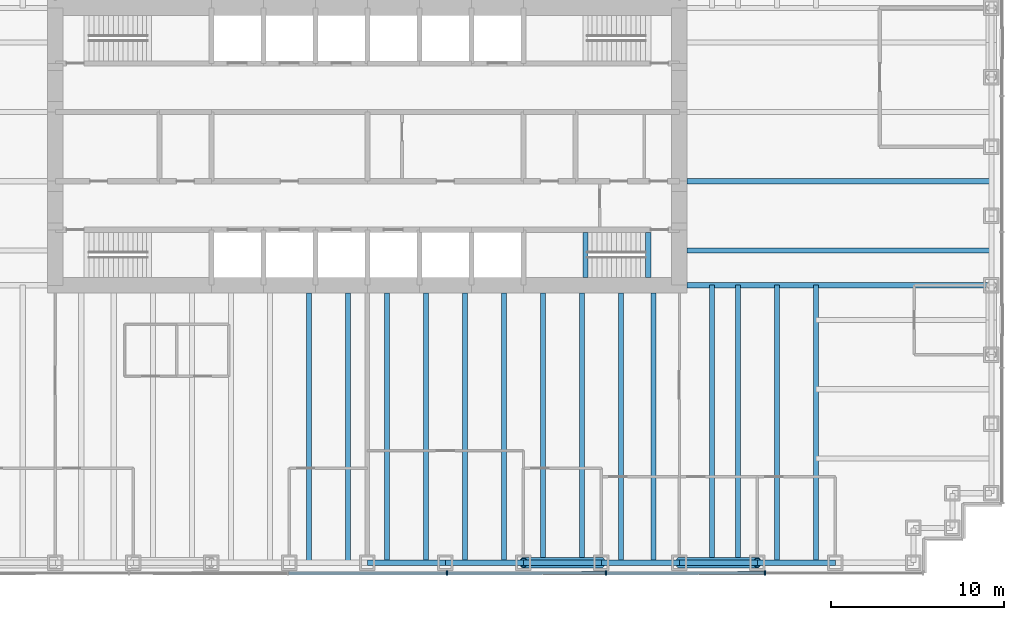
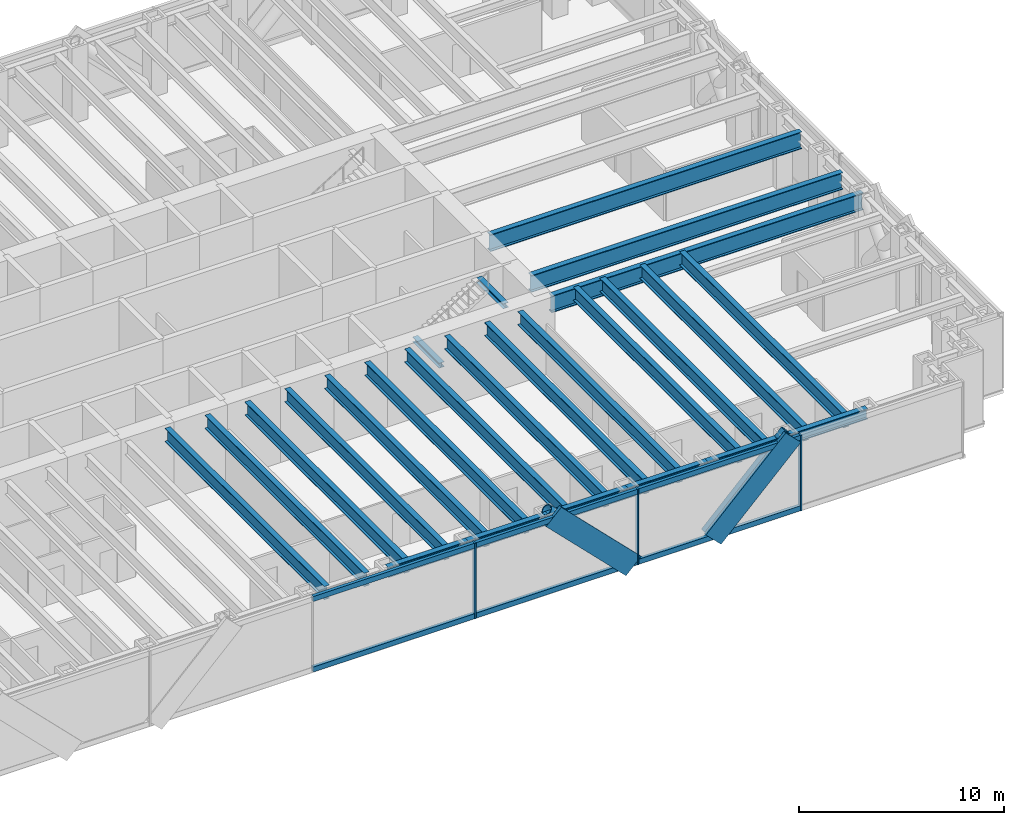
# One storey, part 3 of 13: 25 beams, 13 members, 1 element without a shape of its own.
"""IFC4 building model written with IfcOpenShell, lengths in metres."""

import ifcopenshell
import ifcopenshell.guid

model = None  # the IFC model being written
_history = None  # IfcOwnerHistory: only IFC2X3 demands one
_inside = {}  # id of a spatial element -> (the spatial element, [elements in it])
_under = {}  # id of a project, library or spatial element -> (it, [spatial elements below it])
_declared = {}  # id of a project -> (the project, [libraries it declares])
_typed = {}  # id of a type object -> (the type object, [elements of that type])
_made_of = {}  # id of a material, layer set ... -> (it, [elements and type objects made of it])


def new_model(schema):
    """Start an empty IFC model of exactly this schema.

    Asked for "IFC4X3", IfcOpenShell would pick the latest addendum, in which some entities
    have other attributes; the version numbers below select the first issue.
    IFC2X3 requires an IfcOwnerHistory on every rooted entity: one is made here for all.
    """
    global model, _history
    if schema == "IFC4X3":
        model = ifcopenshell.file(schema_version=(4, 3, 0, 0))
    else:
        model = ifcopenshell.file(schema=schema)
    _inside.clear()
    _under.clear()
    _declared.clear()
    _typed.clear()
    _made_of.clear()
    _history = None
    if model.schema == "IFC2X3":
        org = make("IfcOrganization", Name="unknown")
        user = make(
            "IfcPersonAndOrganization",
            ThePerson=make("IfcPerson", FamilyName="unknown"),
            TheOrganization=org,
        )
        app = make(
            "IfcApplication",
            ApplicationDeveloper=org,
            Version="unknown",
            ApplicationFullName="unknown",
            ApplicationIdentifier="unknown",
        )
        _history = make(
            "IfcOwnerHistory",
            OwningUser=user,
            OwningApplication=app,
            ChangeAction="ADDED",
            CreationDate=0,
        )
    return model


def make(cls, **values):
    """One entity of the class cls with the attributes given. An attribute that is None is left unset."""
    return model.create_entity(
        cls, **{name: value for name, value in values.items() if value is not None}
    )


def rooted(cls, **values):
    """An entity with a GlobalId (a new one), such as an element, a storey or a relation."""
    return make(cls, GlobalId=ifcopenshell.guid.new(), OwnerHistory=_history, **values)


def si_unit(unit_type, name, prefix=None):
    """IfcSIUnit, for example si_unit("LENGTHUNIT", "METRE", prefix="MILLI")."""
    return make("IfcSIUnit", UnitType=unit_type, Prefix=prefix, Name=name)


def assignment(units):
    """IfcUnitAssignment: the units of a project."""
    return None if units is None else make("IfcUnitAssignment", Units=units)


def point(xyz):
    """IfcCartesianPoint."""
    return None if xyz is None else make("IfcCartesianPoint", Coordinates=xyz)


def direction(xyz):
    """IfcDirection."""
    return None if xyz is None else make("IfcDirection", DirectionRatios=xyz)


def frame(location, z_axis=None, x_axis=None):
    """IfcAxis2Placement3D, a coordinate frame: its origin and axes. An axis left out is left unset."""
    return make(
        "IfcAxis2Placement3D",
        Location=point(location),
        Axis=direction(z_axis),
        RefDirection=direction(x_axis),
    )


def frame_2d(location, x_axis=None):
    """IfcAxis2Placement2D, a coordinate frame in the plane: its origin and x axis."""
    return make(
        "IfcAxis2Placement2D", Location=point(location), RefDirection=direction(x_axis)
    )


def origin():
    """The frame at (0, 0, 0) with its axes left unset."""
    return frame((0.0, 0.0, 0.0))


def origin_2d():
    """The frame at (0, 0) in the plane with its x axis left unset."""
    return frame_2d((0.0, 0.0))


def place(relative_to, where):
    """IfcLocalPlacement: puts the frame where relative to a parent placement (None: the world)."""
    return make(
        "IfcLocalPlacement", PlacementRelTo=relative_to, RelativePlacement=where
    )


def context(
    kind, dimensions, precision=None, world=None, true_north=None, identifier=None
):
    """IfcGeometricRepresentationContext, for example the 3D "Model" context."""
    return make(
        "IfcGeometricRepresentationContext",
        ContextIdentifier=identifier,
        ContextType=kind,
        CoordinateSpaceDimension=dimensions,
        Precision=precision,
        WorldCoordinateSystem=world,
        TrueNorth=true_north,
    )


def subcontext(parent, identifier, kind, view, scale=None):
    """IfcGeometricRepresentationSubContext, for example "Body" below "Model"."""
    return make(
        "IfcGeometricRepresentationSubContext",
        ContextIdentifier=identifier,
        ContextType=kind,
        ParentContext=parent,
        TargetScale=scale,
        TargetView=view,
    )


def project(units=None, contexts=None):
    """IfcProject with its units and contexts."""
    return rooted(
        "IfcProject",
        Name="project",
        RepresentationContexts=contexts,
        UnitsInContext=assignment(units),
    )


def spatial(cls, under=None, at=None, **own):
    """A site, building, storey or space (cls), placed at a placement, below another one or the project."""
    s = rooted(cls, ObjectPlacement=at, **own)
    if under is not None:
        _under.setdefault(under.id(), (under, []))[1].append(s)
    return s


def profile(cls, at=None, kind="AREA", **sizes):
    """A parametric profile (cls). Its sizes go by their IFC names, for example OverallWidth=200.0."""
    return make(cls, ProfileType=kind, Position=at, **sizes)


def rectangle(**sizes):
    """IfcRectangleProfileDef."""
    return profile("IfcRectangleProfileDef", **sizes)


def hollow_circle(**sizes):
    """IfcCircleHollowProfileDef."""
    return profile("IfcCircleHollowProfileDef", **sizes)


def i_section(**sizes):
    """IfcIShapeProfileDef."""
    return profile("IfcIShapeProfileDef", **sizes)


def extrude(swept, where, along, depth):
    """IfcExtrudedAreaSolid: the profile swept, set in the frame where, extruded along a direction by depth."""
    return make(
        "IfcExtrudedAreaSolid",
        SweptArea=swept,
        Position=where,
        ExtrudedDirection=direction(along),
        Depth=depth,
    )


def shape(context_of_items, identifier, shape_type, items):
    """IfcShapeRepresentation: the items that make up one representation, for example the "Body"."""
    return make(
        "IfcShapeRepresentation",
        ContextOfItems=context_of_items,
        RepresentationIdentifier=identifier,
        RepresentationType=shape_type,
        Items=items,
    )


def material(Name=None, Category=None):
    """IfcMaterial."""
    return make("IfcMaterial", Name=Name, Category=Category)


def material_profile(
    of_material, cross_section, Name=None, Category=None, Priority=None
):
    """IfcMaterialProfile: a cross section and its material."""
    return make(
        "IfcMaterialProfile",
        Name=Name,
        Material=of_material,
        Profile=cross_section,
        Priority=Priority,
        Category=Category,
    )


def profile_set(profiles, Name=None, composite=None):
    """IfcMaterialProfileSet."""
    return make(
        "IfcMaterialProfileSet",
        Name=Name,
        MaterialProfiles=profiles,
        CompositeProfile=composite,
    )


def made_of(thing, what):
    """Note that an element or type object is made of a material, layer set ...; save() writes the relation."""
    if what is not None:
        _made_of.setdefault(what.id(), (what, []))[1].append(thing)
    return thing


def type_object(cls, material=None, **own):
    """A type object (cls), such as IfcWallType, which elements share."""
    return made_of(rooted(cls, **own), material)


def element(
    cls,
    number,
    at=None,
    inside=None,
    cuts=None,
    type_object=None,
    material=None,
    context=None,
    identifier="Body",
    shape_type=None,
    held_by="IfcProductDefinitionShape",
    body=None,
    shapes=None,
    **own,
):
    """One element of the class cls, such as IfcWall. Its Tag is "e" and its number.

    at: its placement. inside: the storey or other place that contains it. cuts: it is an
    opening in that element (IfcRelVoidsElement). A single representation is given by context,
    identifier, shape_type and body (its items); several are given by shapes. held_by: the class
    of the entity that holds the representations. save() writes the other relations.
    """
    e = rooted(cls, Tag="e%d" % number, ObjectPlacement=at, **own)
    if body is not None:
        shapes = [shape(context, identifier, shape_type, body)]
    if shapes is not None:
        e.Representation = make(held_by, Representations=shapes)
    if inside is not None:
        _inside.setdefault(inside.id(), (inside, []))[1].append(e)
    if cuts is not None:
        rooted(
            "IfcRelVoidsElement", RelatingBuildingElement=cuts, RelatedOpeningElement=e
        )
    if type_object is not None:
        _typed.setdefault(type_object.id(), (type_object, []))[1].append(e)
    return made_of(e, material)


def aggregate(whole, parts):
    """IfcRelAggregates: a whole, such as a stair, and the parts it consists of."""
    return rooted("IfcRelAggregates", RelatingObject=whole, RelatedObjects=parts)


def save(model, path):
    """Write the relations noted so far, then the file.

    IfcRelAggregates (storeys below a building ...), IfcRelContainedInSpatialStructure (elements
    in a storey), IfcRelDefinesByType, IfcRelAssociatesMaterial and IfcRelDeclares: one each for
    every whole, place, type object, material and project.
    """
    for whole, parts in _under.values():
        aggregate(whole, parts)
    for where, things in _inside.values():
        rooted(
            "IfcRelContainedInSpatialStructure",
            RelatedElements=things,
            RelatingStructure=where,
        )
    for kind, things in _typed.values():
        rooted("IfcRelDefinesByType", RelatedObjects=things, RelatingType=kind)
    for what, things in _made_of.values():
        rooted("IfcRelAssociatesMaterial", RelatedObjects=things, RelatingMaterial=what)
    for by, libraries in _declared.values():
        rooted("IfcRelDeclares", RelatingContext=by, RelatedDefinitions=libraries)
    model.write(path)


model = new_model("IFC4")

# Units and contexts
model_context = context("Model", 3, precision=1e-05, world=origin(), true_north=direction((0.0, 1.0)))
body_context = subcontext(model_context, "Body", "Model", "MODEL_VIEW")
ifc_project = project(units=[si_unit("LENGTHUNIT", "METRE"), si_unit("AREAUNIT", "SQUARE_METRE"), si_unit("VOLUMEUNIT", "CUBIC_METRE"), si_unit("PLANEANGLEUNIT", "RADIAN"), si_unit("MASSUNIT", "GRAM", prefix="KILO")], contexts=[model_context])

# Site, building, storey
site_placement = place(None, origin())
site = spatial("IfcSite", under=ifc_project, at=site_placement, CompositionType="ELEMENT")
building_placement = place(site_placement, origin())
building = spatial("IfcBuilding", under=site, at=building_placement, Name="Rheinbord Bourse Tower", CompositionType="ELEMENT")
storey_placement = place(building_placement, frame((0.0, 0.0, 50.0)))
storey = spatial("IfcBuildingStorey", under=building, at=storey_placement, Name="L10", CompositionType="ELEMENT", Elevation=50.0)

# Curtain wall, members
ifc_material_1 = material(Name="Dark glass and black aluminium", Category="aluminium")
curtain_wall_type = type_object("IfcCurtainWallType", Name="CW1 DARK GLASS CURTAIN WALL", PredefinedType="USERDEFINED", material=ifc_material_1)
curtain_wall_placement = place(storey_placement, origin())
curtain_wall = element("IfcCurtainWall", 1, at=curtain_wall_placement, inside=storey, type_object=curtain_wall_type, Name="Curtain wall CW1 S L10", ObjectType="UNITISED CURTAIN WALL", PredefinedType="USERDEFINED")
ifc_material_2 = material(Name="Black anodised aluminium", Category="aluminium")
ifc_material_profile_1 = material_profile(ifc_material_2, rectangle(XDim=0.179931640625, YDim=1.2099609375, at=origin_2d()), Name="CW1 DIAGONAL MULLION 1210x180")
ifc_profile_set_1 = profile_set([ifc_material_profile_1], Name="Black anodised aluminium")
member_type_1 = type_object("IfcMemberType", Name="CW1 BLACK DIAGONAL MULLION", PredefinedType="USERDEFINED", material=ifc_profile_set_1)
member_1_placement = place(storey_placement, frame((54.0, -0.60009765625, 0.0), z_axis=(0.707106781187, 0.0, 0.707106781187), x_axis=(0.0, 1.0, 0.0)))
member_1 = element("IfcMember", 2, at=member_1_placement, type_object=member_type_1, Name="CW1 diagonal mullion a", ObjectType="DIAGONAL MULLION", PredefinedType="USERDEFINED", context=body_context, shape_type="SweptSolid", body=[
    extrude(rectangle(XDim=0.179931640625, YDim=1.2099609375, at=origin_2d()), origin(), (0.0, 0.0, 1.0), 6.364013671875),
])
member_2_placement = place(storey_placement, frame((49.5, -0.60009765625, 0.0), z_axis=(-0.707106781187, 0.0, 0.707106781187), x_axis=(0.0, -1.0, 0.0)))
member_2 = element("IfcMember", 3, at=member_2_placement, type_object=member_type_1, Name="CW1 diagonal mullion c", ObjectType="DIAGONAL MULLION", PredefinedType="USERDEFINED", context=body_context, shape_type="SweptSolid", body=[
    extrude(rectangle(XDim=0.179931640625, YDim=1.2099609375, at=origin_2d()), origin(), (0.0, 0.0, 1.0), 6.364013671875),
])
ifc_material_3 = material(Name="Black anodised aluminium", Category="aluminium")
ifc_material_profile_2 = material_profile(ifc_material_3, rectangle(XDim=0.25, YDim=0.080078125, at=origin_2d()), Name="CW1 MULLION 80x250")
ifc_profile_set_2 = profile_set([ifc_material_profile_2], Name="Black anodised aluminium")
member_type_2 = type_object("IfcMemberType", Name="CW1 BLACK MULLION", PredefinedType="MULLION", material=ifc_profile_set_2)
member_3_placement = place(storey_placement, frame((40.585693359375, -0.60009765625, 0.0), z_axis=(0.0, 0.0, 1.0), x_axis=(0.0, 1.0, 0.0)))
member_3 = element("IfcMember", 4, at=member_3_placement, type_object=member_type_2, Name="CW1 mullion 5", PredefinedType="MULLION", context=body_context, shape_type="SweptSolid", body=[
    extrude(rectangle(XDim=0.25, YDim=0.080078125, at=origin_2d()), origin(), (0.0, 0.0, 1.0), 4.5),
])
member_4_placement = place(storey_placement, frame((49.757080078125, -0.60009765625, 0.0), z_axis=(0.0, 0.0, 1.0), x_axis=(0.0, 1.0, 0.0)))
member_4 = element("IfcMember", 5, at=member_4_placement, type_object=member_type_2, Name="CW1 mullion 6", PredefinedType="MULLION", context=body_context, shape_type="SweptSolid", body=[
    extrude(rectangle(XDim=0.25, YDim=0.080078125, at=origin_2d()), origin(), (0.0, 0.0, 1.0), 4.5),
])
member_5_placement = place(storey_placement, frame((58.928466796875, -0.60009765625, 0.0), z_axis=(0.0, 0.0, 1.0), x_axis=(0.0, 1.0, 0.0)))
member_5 = element("IfcMember", 6, at=member_5_placement, type_object=member_type_2, Name="CW1 mullion 7", PredefinedType="MULLION", context=body_context, shape_type="SweptSolid", body=[
    extrude(rectangle(XDim=0.25, YDim=0.080078125, at=origin_2d()), origin(), (0.0, 0.0, 1.0), 4.5),
])
ifc_material_4 = material(Name="Black anodised aluminium", Category="aluminium")
ifc_material_profile_3 = material_profile(ifc_material_4, rectangle(XDim=0.179931640625, YDim=0.300048828125, at=origin_2d()), Name="CW1 TRANSOM 300x180")
ifc_profile_set_3 = profile_set([ifc_material_profile_3], Name="Black anodised aluminium")
member_type_3 = type_object("IfcMemberType", Name="CW1 BLACK TRANSOM", PredefinedType="USERDEFINED", material=ifc_profile_set_3)
member_6_placement = place(storey_placement, frame((31.454345703125, -0.60009765625, 0.14990234375), z_axis=(1.0, 0.0, 0.0), x_axis=(0.0, 1.0, 0.0)))
member_6 = element("IfcMember", 7, at=member_6_placement, type_object=member_type_3, Name="CW1 transom 4.1", ObjectType="TRANSOM", PredefinedType="USERDEFINED", context=body_context, shape_type="SweptSolid", body=[
    extrude(rectangle(XDim=0.179931640625, YDim=0.300048828125, at=origin_2d()), origin(), (0.0, 0.0, 1.0), 9.09130859375),
])
member_7_placement = place(storey_placement, frame((31.454345703125, -0.60009765625, 4.35009765625), z_axis=(1.0, 0.0, 0.0), x_axis=(0.0, 1.0, 0.0)))
member_7 = element("IfcMember", 8, at=member_7_placement, type_object=member_type_3, Name="CW1 transom 4.2", ObjectType="TRANSOM", PredefinedType="USERDEFINED", context=body_context, shape_type="SweptSolid", body=[
    extrude(rectangle(XDim=0.179931640625, YDim=0.300048828125, at=origin_2d()), origin(), (0.0, 0.0, 1.0), 9.09130859375),
])
member_8_placement = place(storey_placement, frame((40.625732421875, -0.60009765625, 0.14990234375), z_axis=(1.0, 0.0, 0.0), x_axis=(0.0, 1.0, 0.0)))
member_8 = element("IfcMember", 9, at=member_8_placement, type_object=member_type_3, Name="CW1 transom 5.1", ObjectType="TRANSOM", PredefinedType="USERDEFINED", context=body_context, shape_type="SweptSolid", body=[
    extrude(rectangle(XDim=0.179931640625, YDim=0.300048828125, at=origin_2d()), origin(), (0.0, 0.0, 1.0), 9.09130859375),
])
member_9_placement = place(storey_placement, frame((40.625732421875, -0.60009765625, 4.35009765625), z_axis=(1.0, 0.0, 0.0), x_axis=(0.0, 1.0, 0.0)))
member_9 = element("IfcMember", 10, at=member_9_placement, type_object=member_type_3, Name="CW1 transom 5.2", ObjectType="TRANSOM", PredefinedType="USERDEFINED", context=body_context, shape_type="SweptSolid", body=[
    extrude(rectangle(XDim=0.179931640625, YDim=0.300048828125, at=origin_2d()), origin(), (0.0, 0.0, 1.0), 9.09130859375),
])
member_10_placement = place(storey_placement, frame((49.797119140625, -0.60009765625, 0.14990234375), z_axis=(1.0, 0.0, 0.0), x_axis=(0.0, 1.0, 0.0)))
member_10 = element("IfcMember", 11, at=member_10_placement, type_object=member_type_3, Name="CW1 transom 6.1", ObjectType="TRANSOM", PredefinedType="USERDEFINED", context=body_context, shape_type="SweptSolid", body=[
    extrude(rectangle(XDim=0.179931640625, YDim=0.300048828125, at=origin_2d()), origin(), (0.0, 0.0, 1.0), 9.091552734375),
])
member_11_placement = place(storey_placement, frame((49.797119140625, -0.60009765625, 4.35009765625), z_axis=(1.0, 0.0, 0.0), x_axis=(0.0, 1.0, 0.0)))
member_11 = element("IfcMember", 12, at=member_11_placement, type_object=member_type_3, Name="CW1 transom 6.2", ObjectType="TRANSOM", PredefinedType="USERDEFINED", context=body_context, shape_type="SweptSolid", body=[
    extrude(rectangle(XDim=0.179931640625, YDim=0.300048828125, at=origin_2d()), origin(), (0.0, 0.0, 1.0), 9.091552734375),
])
aggregate(curtain_wall, [member_3, member_4, member_5, member_6, member_7, member_8, member_9, member_10, member_11, member_1, member_2])

# Beams
ifc_material_5 = material(Name="Steel S460", Category="steel")
ifc_material_profile_4 = material_profile(ifc_material_5, i_section(OverallWidth=0.302001953125, OverallDepth=1.008056640625, WebThickness=0.02099609375, FlangeThickness=0.0400390625, at=origin_2d()), Name="HEM 1000")
ifc_profile_set_4 = profile_set([ifc_material_profile_4], Name="Steel S460")
beam_type_1 = type_object("IfcBeamType", Name="END BEAM HEM 1000", PredefinedType="BEAM", material=ifc_profile_set_4)
for number, where, z_axis, x_axis, name in (
    (13, (54.449951171875, 18.0, 3.81591796875), (1.0, 0.0, 0.0), (0.0, 1.0, 0.0), "End beam east 18 L11"),
    (14, (54.449951171875, 22.0, 3.81591796875), (1.0, 0.0, 0.0), (0.0, 1.0, 0.0), "End beam east 22 L11"),
):
    element("IfcBeam", number, at=place(storey_placement, frame(where, z_axis=z_axis, x_axis=x_axis)), inside=storey, type_object=beam_type_1, Name=name, PredefinedType="BEAM", context=body_context, shape_type="SweptSolid", body=[
        extrude(i_section(OverallWidth=0.302001953125, OverallDepth=1.008056640625, WebThickness=0.02099609375, FlangeThickness=0.0400390625, at=origin_2d()), origin(), (0.0, 0.0, 1.0), 17.550048828125),
    ])
ifc_material_6 = material(Name="Steel S460", Category="steel")
ifc_material_profile_5 = material_profile(ifc_material_6, i_section(OverallWidth=0.300048828125, OverallDepth=0.800048828125, WebThickness=0.017578125, FlangeThickness=0.032958984375, at=origin_2d()), Name="HEB 800")
ifc_profile_set_5 = profile_set([ifc_material_profile_5], Name="Steel S460")
beam_type_2 = type_object("IfcBeamType", Name="FLOOR BEAM HEB 800", PredefinedType="BEAM", material=ifc_profile_set_5)
for number, where, z_axis, x_axis, name in (
    (15, (32.625, 0.0, 3.919921875), (0.0, 1.0, 0.0), (-1.0, 0.0, 0.0), "Floor beam S-31.5a L11"),
    (16, (34.875, 0.0, 3.919921875), (0.0, 1.0, 0.0), (-1.0, 0.0, 0.0), "Floor beam S-31.5b L11"),
    (17, (37.125, 0.0, 3.919921875), (0.0, 1.0, 0.0), (-1.0, 0.0, 0.0), "Floor beam S-36a L11"),
    (18, (39.375, 0.0, 3.919921875), (0.0, 1.0, 0.0), (-1.0, 0.0, 0.0), "Floor beam S-36b L11"),
    (19, (41.625, 0.0, 3.919921875), (0.0, 1.0, 0.0), (-1.0, 0.0, 0.0), "Floor beam S-40.5a L11"),
    (20, (43.875, 0.0, 3.919921875), (0.0, 1.0, 0.0), (-1.0, 0.0, 0.0), "Floor beam S-40.5b L11"),
    (21, (46.125, 0.0, 3.919921875), (0.0, 1.0, 0.0), (-1.0, 0.0, 0.0), "Floor beam S-45a L11"),
    (22, (48.375, 0.0, 3.919921875), (0.0, 1.0, 0.0), (-1.0, 0.0, 0.0), "Floor beam S-45b L11"),
    (23, (50.625, 0.0, 3.919921875), (0.0, 1.0, 0.0), (-1.0, 0.0, 0.0), "Floor beam S-49.5a L11"),
    (24, (52.5, 0.0, 3.919921875), (0.0, 1.0, 0.0), (-1.0, 0.0, 0.0), "Floor beam S-49.5b L11"),
):
    element("IfcBeam", number, at=place(storey_placement, frame(where, z_axis=z_axis, x_axis=x_axis)), inside=storey, type_object=beam_type_2, Name=name, PredefinedType="BEAM", context=body_context, shape_type="SweptSolid", body=[
        extrude(i_section(OverallWidth=0.300048828125, OverallDepth=0.800048828125, WebThickness=0.017578125, FlangeThickness=0.032958984375, at=origin_2d()), origin(), (0.0, 0.0, 1.0), 15.550048828125),
    ])
for number, where, z_axis, x_axis, name in (
    (25, (55.875, 0.0, 3.919921875), (0.0, 1.0, 0.0), (-1.0, 0.0, 0.0), "Floor beam S-54a L11"),
    (26, (57.375, 0.0, 3.919921875), (0.0, 1.0, 0.0), (-1.0, 0.0, 0.0), "Floor beam S-54b L11"),
    (27, (59.625, 0.0, 3.919921875), (0.0, 1.0, 0.0), (-1.0, 0.0, 0.0), "Floor beam S-58.5a L11"),
    (28, (61.875, 0.0, 3.919921875), (0.0, 1.0, 0.0), (-1.0, 0.0, 0.0), "Floor beam S-58.5b L11"),
):
    element("IfcBeam", number, at=place(storey_placement, frame(where, z_axis=z_axis, x_axis=x_axis)), inside=storey, type_object=beam_type_2, Name=name, PredefinedType="BEAM", context=body_context, shape_type="SweptSolid", body=[
        extrude(i_section(OverallWidth=0.300048828125, OverallDepth=0.800048828125, WebThickness=0.017578125, FlangeThickness=0.032958984375, at=origin_2d()), origin(), (0.0, 0.0, 1.0), 16.0),
    ])
ifc_material_7 = material(Name="Steel S460", Category="steel")
ifc_material_profile_6 = material_profile(ifc_material_7, i_section(OverallWidth=0.302001953125, OverallDepth=1.008056640625, WebThickness=0.02099609375, FlangeThickness=0.0400390625, at=origin_2d()), Name="HEM 1000")
ifc_profile_set_6 = profile_set([ifc_material_profile_6], Name="Steel S460")
beam_type_3 = type_object("IfcBeamType", Name="GIRDER HEM 1000", PredefinedType="BEAM", material=ifc_profile_set_6)
beam_placement = place(storey_placement, frame((54.449951171875, 16.0, 3.81591796875), z_axis=(1.0, 0.0, 0.0), x_axis=(0.0, 1.0, 0.0)))
element("IfcBeam", 29, at=beam_placement, inside=storey, type_object=beam_type_3, Name="Girder east 16 L11", PredefinedType="BEAM", context=body_context, shape_type="SweptSolid", body=[
    extrude(i_section(OverallWidth=0.302001953125, OverallDepth=1.008056640625, WebThickness=0.02099609375, FlangeThickness=0.0400390625, at=origin_2d()), origin(), (0.0, 0.0, 1.0), 17.550048828125),
])
ifc_material_8 = material(Name="Steel S460", Category="steel")
ifc_material_profile_7 = material_profile(ifc_material_8, i_section(OverallWidth=0.300048828125, OverallDepth=0.300048828125, WebThickness=0.010986328125, FlangeThickness=0.01904296875, at=origin_2d()), Name="HEB 300")
ifc_profile_set_7 = profile_set([ifc_material_profile_7], Name="Steel S460")
beam_type_4 = type_object("IfcBeamType", Name="LANDING TRIMMER HEB 300", PredefinedType="BEAM", material=ifc_profile_set_7)
for number, where, z_axis, x_axis, name in (
    (30, (48.590087890625, 16.449951171875, 1.89990234375), (0.0, 1.0, 0.0), (-1.0, 0.0, 0.0), "Landing trimmer ST3 L10"),
    (31, (52.199951171875, 16.449951171875, 4.169921875), (0.0, 1.0, 0.0), (-1.0, 0.0, 0.0), "Well trimmer ST3 under L11"),
):
    element("IfcBeam", number, at=place(storey_placement, frame(where, z_axis=z_axis, x_axis=x_axis)), inside=storey, type_object=beam_type_4, Name=name, PredefinedType="BEAM", context=body_context, shape_type="SweptSolid", body=[
        extrude(i_section(OverallWidth=0.300048828125, OverallDepth=0.300048828125, WebThickness=0.010986328125, FlangeThickness=0.01904296875, at=origin_2d()), origin(), (0.0, 0.0, 1.0), 2.60009765625),
    ])

# Members
ifc_material_9 = material(Name="Steel S460", Category="steel")
ifc_material_profile_8 = material_profile(ifc_material_9, hollow_circle(Radius=0.304931640625, WallThickness=0.050048828125, at=origin_2d()), Name="CHS 610x50")
ifc_profile_set_8 = profile_set([ifc_material_profile_8], Name="Steel S460")
member_type_4 = type_object("IfcMemberType", Name="MEGABRACE CHS 610x50", PredefinedType="BRACE", material=ifc_profile_set_8)
for number, where, z_axis, x_axis, name in (
    (32, (54.0, 0.0, 0.0), (0.707106781187, 0.0, 0.707106781187), (0.0, 1.0, 0.0), "Megabrace S face line a L10"),
    (33, (49.5, 0.0, 0.0), (-0.707106781187, 0.0, 0.707106781187), (0.0, -1.0, 0.0), "Megabrace S face line c L10"),
):
    element("IfcMember", number, at=place(storey_placement, frame(where, z_axis=z_axis, x_axis=x_axis)), inside=storey, type_object=member_type_4, Name=name, PredefinedType="BRACE", context=body_context, shape_type="SweptSolid", body=[
        extrude(hollow_circle(Radius=0.304931640625, WallThickness=0.050048828125, at=origin_2d()), origin(), (0.0, 0.0, 1.0), 6.364013671875),
    ])

# Beams
ifc_material_10 = material(Name="Steel S460", Category="steel")
ifc_material_profile_9 = material_profile(ifc_material_10, i_section(OverallWidth=0.304931640625, OverallDepth=0.6201171875, WebThickness=0.02099609375, FlangeThickness=0.0400390625, at=origin_2d()), Name="HEM 600")
ifc_profile_set_9 = profile_set([ifc_material_profile_9], Name="Steel S460")
beam_type_5 = type_object("IfcBeamType", Name="SPANDREL HEM 600", PredefinedType="SPANDREL", material=ifc_profile_set_9)
for number, where, z_axis, x_axis, name in (
    (34, (36.0, 0.0, 4.010009765625), (1.0, 0.0, 0.0), (0.0, 1.0, 0.0), "Spandrel S-36-S-40.5 under L11"),
    (35, (40.5, 0.0, 4.010009765625), (1.0, 0.0, 0.0), (0.0, 1.0, 0.0), "Spandrel S-40.5-S-45 under L11"),
    (36, (45.0, 0.0, 4.010009765625), (1.0, 0.0, 0.0), (0.0, 1.0, 0.0), "Spandrel S-45-S-49.5 under L11"),
    (37, (49.5, 0.0, 4.010009765625), (1.0, 0.0, 0.0), (0.0, 1.0, 0.0), "Spandrel S-49.5-S-54 under L11"),
    (38, (54.0, 0.0, 4.010009765625), (1.0, 0.0, 0.0), (0.0, 1.0, 0.0), "Spandrel S-54-S-58.5 under L11"),
    (39, (58.5, 0.0, 4.010009765625), (1.0, 0.0, 0.0), (0.0, 1.0, 0.0), "Spandrel S-58.5-S-63 under L11"),
):
    element("IfcBeam", number, at=place(storey_placement, frame(where, z_axis=z_axis, x_axis=x_axis)), inside=storey, type_object=beam_type_5, Name=name, PredefinedType="SPANDREL", context=body_context, shape_type="SweptSolid", body=[
        extrude(i_section(OverallWidth=0.304931640625, OverallDepth=0.6201171875, WebThickness=0.02099609375, FlangeThickness=0.0400390625, at=origin_2d()), origin(), (0.0, 0.0, 1.0), 4.5),
    ])

save(model, "model.ifc")
